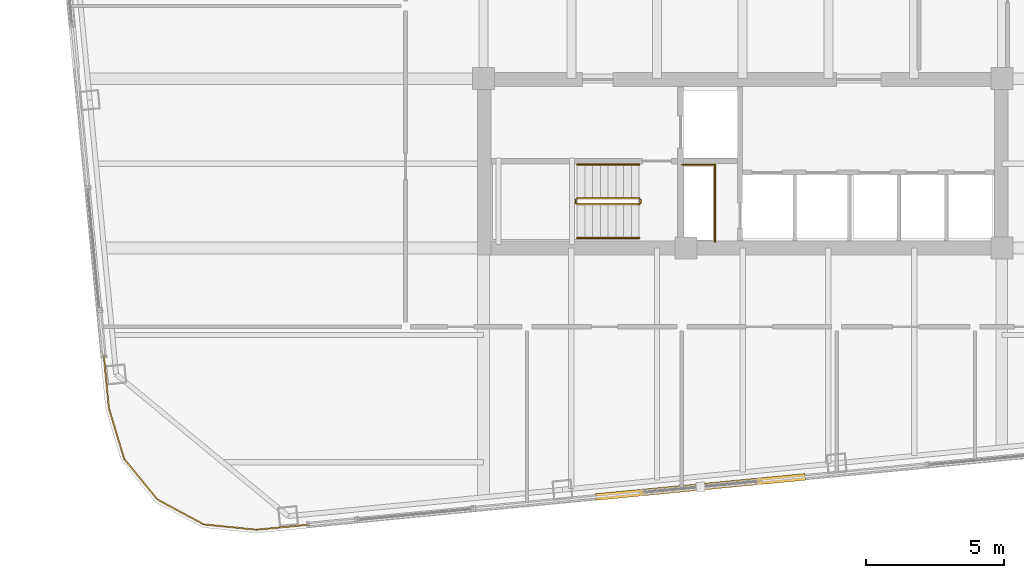
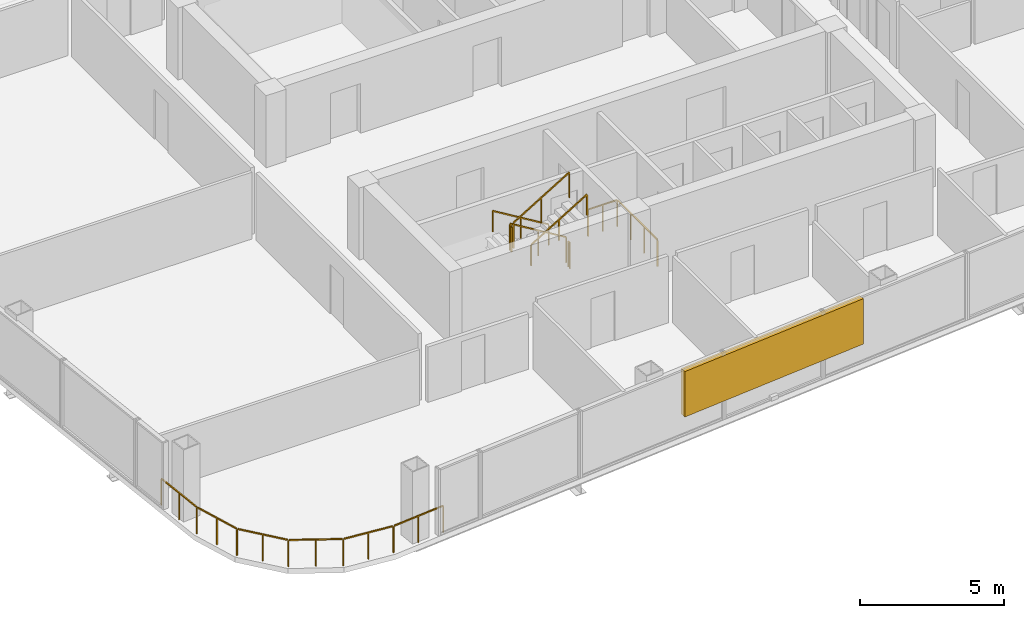
# One storey, part 20 of 22: 8 railings, 1 shading device.
"""IFC4 building model written with IfcOpenShell, lengths in metres."""

import ifcopenshell
import ifcopenshell.guid

model = None  # the IFC model being written
_history = None  # IfcOwnerHistory: only IFC2X3 demands one
_inside = {}  # id of a spatial element -> (the spatial element, [elements in it])
_under = {}  # id of a project, library or spatial element -> (it, [spatial elements below it])
_declared = {}  # id of a project -> (the project, [libraries it declares])
_typed = {}  # id of a type object -> (the type object, [elements of that type])
_made_of = {}  # id of a material, layer set ... -> (it, [elements and type objects made of it])


def new_model(schema):
    """Start an empty IFC model of exactly this schema.

    Asked for "IFC4X3", IfcOpenShell would pick the latest addendum, in which some entities
    have other attributes; the version numbers below select the first issue.
    IFC2X3 requires an IfcOwnerHistory on every rooted entity: one is made here for all.
    """
    global model, _history
    if schema == "IFC4X3":
        model = ifcopenshell.file(schema_version=(4, 3, 0, 0))
    else:
        model = ifcopenshell.file(schema=schema)
    _inside.clear()
    _under.clear()
    _declared.clear()
    _typed.clear()
    _made_of.clear()
    _history = None
    if model.schema == "IFC2X3":
        org = make("IfcOrganization", Name="unknown")
        user = make(
            "IfcPersonAndOrganization",
            ThePerson=make("IfcPerson", FamilyName="unknown"),
            TheOrganization=org,
        )
        app = make(
            "IfcApplication",
            ApplicationDeveloper=org,
            Version="unknown",
            ApplicationFullName="unknown",
            ApplicationIdentifier="unknown",
        )
        _history = make(
            "IfcOwnerHistory",
            OwningUser=user,
            OwningApplication=app,
            ChangeAction="ADDED",
            CreationDate=0,
        )
    return model


def make(cls, **values):
    """One entity of the class cls with the attributes given. An attribute that is None is left unset."""
    return model.create_entity(
        cls, **{name: value for name, value in values.items() if value is not None}
    )


def rooted(cls, **values):
    """An entity with a GlobalId (a new one), such as an element, a storey or a relation."""
    return make(cls, GlobalId=ifcopenshell.guid.new(), OwnerHistory=_history, **values)


def si_unit(unit_type, name, prefix=None):
    """IfcSIUnit, for example si_unit("LENGTHUNIT", "METRE", prefix="MILLI")."""
    return make("IfcSIUnit", UnitType=unit_type, Prefix=prefix, Name=name)


def assignment(units):
    """IfcUnitAssignment: the units of a project."""
    return None if units is None else make("IfcUnitAssignment", Units=units)


def point(xyz):
    """IfcCartesianPoint."""
    return None if xyz is None else make("IfcCartesianPoint", Coordinates=xyz)


def direction(xyz):
    """IfcDirection."""
    return None if xyz is None else make("IfcDirection", DirectionRatios=xyz)


def frame(location, z_axis=None, x_axis=None):
    """IfcAxis2Placement3D, a coordinate frame: its origin and axes. An axis left out is left unset."""
    return make(
        "IfcAxis2Placement3D",
        Location=point(location),
        Axis=direction(z_axis),
        RefDirection=direction(x_axis),
    )


def frame_2d(location, x_axis=None):
    """IfcAxis2Placement2D, a coordinate frame in the plane: its origin and x axis."""
    return make(
        "IfcAxis2Placement2D", Location=point(location), RefDirection=direction(x_axis)
    )


def origin():
    """The frame at (0, 0, 0) with its axes left unset."""
    return frame((0.0, 0.0, 0.0))


def origin_2d():
    """The frame at (0, 0) in the plane with its x axis left unset."""
    return frame_2d((0.0, 0.0))


def place(relative_to, where):
    """IfcLocalPlacement: puts the frame where relative to a parent placement (None: the world)."""
    return make(
        "IfcLocalPlacement", PlacementRelTo=relative_to, RelativePlacement=where
    )


def context(
    kind, dimensions, precision=None, world=None, true_north=None, identifier=None
):
    """IfcGeometricRepresentationContext, for example the 3D "Model" context."""
    return make(
        "IfcGeometricRepresentationContext",
        ContextIdentifier=identifier,
        ContextType=kind,
        CoordinateSpaceDimension=dimensions,
        Precision=precision,
        WorldCoordinateSystem=world,
        TrueNorth=true_north,
    )


def subcontext(parent, identifier, kind, view, scale=None):
    """IfcGeometricRepresentationSubContext, for example "Body" below "Model"."""
    return make(
        "IfcGeometricRepresentationSubContext",
        ContextIdentifier=identifier,
        ContextType=kind,
        ParentContext=parent,
        TargetScale=scale,
        TargetView=view,
    )


def project(units=None, contexts=None):
    """IfcProject with its units and contexts."""
    return rooted(
        "IfcProject",
        Name="project",
        RepresentationContexts=contexts,
        UnitsInContext=assignment(units),
    )


def spatial(cls, under=None, at=None, **own):
    """A site, building, storey or space (cls), placed at a placement, below another one or the project."""
    s = rooted(cls, ObjectPlacement=at, **own)
    if under is not None:
        _under.setdefault(under.id(), (under, []))[1].append(s)
    return s


def profile(cls, at=None, kind="AREA", **sizes):
    """A parametric profile (cls). Its sizes go by their IFC names, for example OverallWidth=200.0."""
    return make(cls, ProfileType=kind, Position=at, **sizes)


def rectangle(**sizes):
    """IfcRectangleProfileDef."""
    return profile("IfcRectangleProfileDef", **sizes)


def extrude(swept, where, along, depth):
    """IfcExtrudedAreaSolid: the profile swept, set in the frame where, extruded along a direction by depth."""
    return make(
        "IfcExtrudedAreaSolid",
        SweptArea=swept,
        Position=where,
        ExtrudedDirection=direction(along),
        Depth=depth,
    )


def shape(context_of_items, identifier, shape_type, items):
    """IfcShapeRepresentation: the items that make up one representation, for example the "Body"."""
    return make(
        "IfcShapeRepresentation",
        ContextOfItems=context_of_items,
        RepresentationIdentifier=identifier,
        RepresentationType=shape_type,
        Items=items,
    )


def material(Name=None, Category=None):
    """IfcMaterial."""
    return make("IfcMaterial", Name=Name, Category=Category)


def made_of(thing, what):
    """Note that an element or type object is made of a material, layer set ...; save() writes the relation."""
    if what is not None:
        _made_of.setdefault(what.id(), (what, []))[1].append(thing)
    return thing


def type_object(cls, material=None, **own):
    """A type object (cls), such as IfcWallType, which elements share."""
    return made_of(rooted(cls, **own), material)


def element(
    cls,
    number,
    at=None,
    inside=None,
    cuts=None,
    type_object=None,
    material=None,
    context=None,
    identifier="Body",
    shape_type=None,
    held_by="IfcProductDefinitionShape",
    body=None,
    shapes=None,
    **own,
):
    """One element of the class cls, such as IfcWall. Its Tag is "e" and its number.

    at: its placement. inside: the storey or other place that contains it. cuts: it is an
    opening in that element (IfcRelVoidsElement). A single representation is given by context,
    identifier, shape_type and body (its items); several are given by shapes. held_by: the class
    of the entity that holds the representations. save() writes the other relations.
    """
    e = rooted(cls, Tag="e%d" % number, ObjectPlacement=at, **own)
    if body is not None:
        shapes = [shape(context, identifier, shape_type, body)]
    if shapes is not None:
        e.Representation = make(held_by, Representations=shapes)
    if inside is not None:
        _inside.setdefault(inside.id(), (inside, []))[1].append(e)
    if cuts is not None:
        rooted(
            "IfcRelVoidsElement", RelatingBuildingElement=cuts, RelatedOpeningElement=e
        )
    if type_object is not None:
        _typed.setdefault(type_object.id(), (type_object, []))[1].append(e)
    return made_of(e, material)


def aggregate(whole, parts):
    """IfcRelAggregates: a whole, such as a stair, and the parts it consists of."""
    return rooted("IfcRelAggregates", RelatingObject=whole, RelatedObjects=parts)


def save(model, path):
    """Write the relations noted so far, then the file.

    IfcRelAggregates (storeys below a building ...), IfcRelContainedInSpatialStructure (elements
    in a storey), IfcRelDefinesByType, IfcRelAssociatesMaterial and IfcRelDeclares: one each for
    every whole, place, type object, material and project.
    """
    for whole, parts in _under.values():
        aggregate(whole, parts)
    for where, things in _inside.values():
        rooted(
            "IfcRelContainedInSpatialStructure",
            RelatedElements=things,
            RelatingStructure=where,
        )
    for kind, things in _typed.values():
        rooted("IfcRelDefinesByType", RelatedObjects=things, RelatingType=kind)
    for what, things in _made_of.values():
        rooted("IfcRelAssociatesMaterial", RelatedObjects=things, RelatingMaterial=what)
    for by, libraries in _declared.values():
        rooted("IfcRelDeclares", RelatingContext=by, RelatedDefinitions=libraries)
    model.write(path)


model = new_model("IFC4")

# Units and contexts
model_context = context("Model", 3, precision=1e-05, world=origin(), true_north=direction((0.0, 1.0)))
body_context = subcontext(model_context, "Body", "Model", "MODEL_VIEW")
ifc_project = project(units=[si_unit("LENGTHUNIT", "METRE"), si_unit("AREAUNIT", "SQUARE_METRE"), si_unit("VOLUMEUNIT", "CUBIC_METRE"), si_unit("PLANEANGLEUNIT", "RADIAN"), si_unit("MASSUNIT", "GRAM", prefix="KILO")], contexts=[model_context])

# Site, building, storey
site_placement = place(None, origin())
site = spatial("IfcSite", under=ifc_project, at=site_placement, CompositionType="ELEMENT")
building_placement = place(site_placement, origin())
building = spatial("IfcBuilding", under=site, at=building_placement, Name="Qhalaya Broadcast Tower", CompositionType="ELEMENT")
storey_placement = place(building_placement, frame((0.0, 0.0, 171.39990234375)))
storey = spatial("IfcBuildingStorey", under=building, at=storey_placement, Name="L50", CompositionType="ELEMENT", Elevation=171.39990234375)

# Railings
ifc_material_1 = material(Name="Powder-Coated Galvanised Steel", Category="steel")
railing_type_1 = type_object("IfcRailingType", Name="Stair Wall Handrail 900", PredefinedType="HANDRAIL", material=ifc_material_1)
railing_1_placement = place(storey_placement, frame((-3.75, -5.72998046875, 0.16943359375)))
element("IfcRailing", 1, at=railing_1_placement, inside=storey, type_object=railing_type_1, Name="L50 ST-2 Stair Handrail 1", PredefinedType="HANDRAIL", context=body_context, shape_type="SweptSolid", body=[
    extrude(rectangle(XDim=0.048095703125, YDim=0.048095703125, at=origin_2d()), frame((0.0, 0.0, 0.8759765625), z_axis=(-0.855512035549, 0.0, 0.517782924622), x_axis=(0.0, -1.0, 0.0)), (0.0, 0.0, 1.0), 2.618408203125),
    extrude(rectangle(XDim=0.0419921875, YDim=0.0419921875, at=origin_2d()), origin(), (0.0, 0.0, 1.0), 0.849853515625),
    extrude(rectangle(XDim=0.0419921875, YDim=0.0419921875, at=origin_2d()), frame((-1.1201171875, 0.0, 0.677734375)), (0.0, 0.0, 1.0), 0.849853515625),
    extrude(rectangle(XDim=0.0419921875, YDim=0.0419921875, at=origin_2d()), frame((-2.239990234375, 0.0, 1.355712890625)), (0.0, 0.0, 1.0), 0.849853515625),
])
railing_2_placement = place(storey_placement, frame((-5.989990234375, -8.389892578125, 1.694580078125)))
element("IfcRailing", 2, at=railing_2_placement, inside=storey, type_object=railing_type_1, Name="L50 ST-2 Stair Handrail 2", PredefinedType="HANDRAIL", context=body_context, shape_type="SweptSolid", body=[
    extrude(rectangle(XDim=0.048095703125, YDim=0.048095703125, at=origin_2d()), frame((0.0, 0.0, 0.8759765625), z_axis=(0.855553338991, 0.0, 0.51771467445), x_axis=(0.0, 1.0, 0.0)), (0.0, 0.0, 1.0), 2.6181640625),
    extrude(rectangle(XDim=0.0419921875, YDim=0.0419921875, at=origin_2d()), origin(), (0.0, 0.0, 1.0), 0.849853515625),
    extrude(rectangle(XDim=0.0419921875, YDim=0.0419921875, at=origin_2d()), frame((1.1201171875, 0.0, 0.677734375)), (0.0, 0.0, 1.0), 0.849853515625),
    extrude(rectangle(XDim=0.0419921875, YDim=0.0419921875, at=origin_2d()), frame((2.239990234375, 0.0, 1.35546875)), (0.0, 0.0, 1.0), 0.849853515625),
])
railing_type_2 = type_object("IfcRailingType", Name="Stair Well & Landing Guardrail 1100", PredefinedType="GUARDRAIL", material=ifc_material_1)
railing_3_placement = place(storey_placement, frame((-1.0, -8.52001953125, 0.0)))
element("IfcRailing", 3, at=railing_3_placement, inside=storey, type_object=railing_type_2, Name="L50 Service Riser Opening Safety Guard SRSR", PredefinedType="GUARDRAIL", context=body_context, shape_type="SweptSolid", body=[
    extrude(rectangle(XDim=0.048095703125, YDim=0.048095703125, at=origin_2d()), frame((0.0, 0.0, 1.1259765625), z_axis=(0.0, 1.0, 0.0), x_axis=(-1.0, 0.0, 0.0)), (0.0, 0.0, 1.0), 2.751220703125),
    extrude(rectangle(XDim=0.048095703125, YDim=0.048095703125, at=origin_2d()), frame((-0.02880859375, 2.780029296875, 1.1259765625), z_axis=(-1.0, 0.0, 0.0), x_axis=(0.0, -1.0, 0.0)), (0.0, 0.0, 1.0), 1.151123046875),
    extrude(rectangle(XDim=0.0419921875, YDim=0.0419921875, at=origin_2d()), origin(), (0.0, 0.0, 1.0), 1.099853515625),
    extrude(rectangle(XDim=0.0419921875, YDim=0.0419921875, at=origin_2d()), frame((0.0, 0.9267578125, 0.0)), (0.0, 0.0, 1.0), 1.099853515625),
    extrude(rectangle(XDim=0.0419921875, YDim=0.0419921875, at=origin_2d()), frame((0.0, 1.853271484375, 0.0)), (0.0, 0.0, 1.0), 1.099853515625),
    extrude(rectangle(XDim=0.0419921875, YDim=0.0419921875, at=origin_2d()), frame((0.0, 2.780029296875, 0.0)), (0.0, 0.0, 1.0), 1.099853515625),
    extrude(rectangle(XDim=0.0419921875, YDim=0.0419921875, at=origin_2d()), frame((-0.58984375, 2.780029296875, 0.0)), (0.0, 0.0, 1.0), 1.099853515625),
    extrude(rectangle(XDim=0.0419921875, YDim=0.0419921875, at=origin_2d()), frame((-1.179931640625, 2.780029296875, 0.0)), (0.0, 0.0, 1.0), 1.099853515625),
])
railing_4_placement = place(storey_placement, frame((-3.75, -6.949951171875, 0.16943359375)))
element("IfcRailing", 4, at=railing_4_placement, inside=storey, type_object=railing_type_2, Name="L50 ST-2 Stair Guard 1", PredefinedType="GUARDRAIL", context=body_context, shape_type="SweptSolid", body=[
    extrude(rectangle(XDim=0.048095703125, YDim=0.048095703125, at=origin_2d()), frame((0.0, 0.0, 1.076171875), z_axis=(-0.855512035549, 0.0, 0.517782924622), x_axis=(0.0, -1.0, 0.0)), (0.0, 0.0, 1.0), 2.618408203125),
    extrude(rectangle(XDim=0.0419921875, YDim=0.0419921875, at=origin_2d()), origin(), (0.0, 0.0, 1.0), 1.050048828125),
    extrude(rectangle(XDim=0.0419921875, YDim=0.0419921875, at=origin_2d()), frame((-1.1201171875, 0.0, 0.677734375)), (0.0, 0.0, 1.0), 1.050048828125),
    extrude(rectangle(XDim=0.0419921875, YDim=0.0419921875, at=origin_2d()), frame((-2.239990234375, 0.0, 1.355712890625)), (0.0, 0.0, 1.0), 1.050048828125),
])
railing_5_placement = place(storey_placement, frame((-6.0400390625, -7.0, 1.525146484375)))
element("IfcRailing", 5, at=railing_5_placement, inside=storey, type_object=railing_type_2, Name="L50 ST-2 Stair Guard 2", PredefinedType="GUARDRAIL", context=body_context, shape_type="SweptSolid", body=[
    extrude(rectangle(XDim=0.048095703125, YDim=0.048095703125, at=origin_2d()), frame((0.0, 0.0, 1.076171875), z_axis=(0.0, -1.0, 0.0), x_axis=(1.0, 0.0, 0.0)), (0.0, 0.0, 1.0), 0.1201171875),
    extrude(rectangle(XDim=0.0419921875, YDim=0.0419921875, at=origin_2d()), origin(), (0.0, 0.0, 1.0), 1.050048828125),
    extrude(rectangle(XDim=0.0419921875, YDim=0.0419921875, at=origin_2d()), frame((0.0, -0.1201171875, 0.0)), (0.0, 0.0, 1.0), 1.050048828125),
])
railing_6_placement = place(storey_placement, frame((-5.989990234375, -7.169921875, 1.694580078125)))
element("IfcRailing", 6, at=railing_6_placement, inside=storey, type_object=railing_type_2, Name="L50 ST-2 Stair Guard 3", PredefinedType="GUARDRAIL", context=body_context, shape_type="SweptSolid", body=[
    extrude(rectangle(XDim=0.048095703125, YDim=0.048095703125, at=origin_2d()), frame((0.0, 0.0, 1.076171875), z_axis=(0.855553338991, 0.0, 0.51771467445), x_axis=(0.0, 1.0, 0.0)), (0.0, 0.0, 1.0), 2.6181640625),
    extrude(rectangle(XDim=0.0419921875, YDim=0.0419921875, at=origin_2d()), origin(), (0.0, 0.0, 1.0), 1.050048828125),
    extrude(rectangle(XDim=0.0419921875, YDim=0.0419921875, at=origin_2d()), frame((1.1201171875, 0.0, 0.677734375)), (0.0, 0.0, 1.0), 1.050048828125),
    extrude(rectangle(XDim=0.0419921875, YDim=0.0419921875, at=origin_2d()), frame((2.239990234375, 0.0, 1.35546875)), (0.0, 0.0, 1.0), 1.050048828125),
])
railing_7_placement = place(storey_placement, frame((-3.699951171875, -7.0, 0.0)))
element("IfcRailing", 7, at=railing_7_placement, inside=storey, type_object=railing_type_2, Name="L50 ST-2 Stair Guard 4", PredefinedType="GUARDRAIL", context=body_context, shape_type="SweptSolid", body=[
    extrude(rectangle(XDim=0.048095703125, YDim=0.048095703125, at=origin_2d()), frame((0.0, 0.0, 1.076171875), z_axis=(0.0, -1.0, 0.0), x_axis=(1.0, 0.0, 0.0)), (0.0, 0.0, 1.0), 0.1201171875),
    extrude(rectangle(XDim=0.0419921875, YDim=0.0419921875, at=origin_2d()), origin(), (0.0, 0.0, 1.0), 1.050048828125),
    extrude(rectangle(XDim=0.0419921875, YDim=0.0419921875, at=origin_2d()), frame((0.0, -0.1201171875, 0.0)), (0.0, 0.0, 1.0), 1.050048828125),
])
railing_type_3 = type_object("IfcRailingType", Name="Terrace, Sky-Pool & Lookout Glass Balustrade 1150", PredefinedType="BALUSTRADE", material=ifc_material_1)
railing_8_placement = place(storey_placement, frame((-15.479736328125, -18.73681640625, 0.0)))
element("IfcRailing", 8, at=railing_8_placement, inside=storey, type_object=railing_type_3, Name="L50 Rounded Corner Perimeter Guard 02", PredefinedType="BALUSTRADE", context=body_context, shape_type="SweptSolid", body=[
    extrude(rectangle(XDim=0.048095703125, YDim=0.048095703125, at=origin_2d()), frame((0.0, 0.0, 1.1259765625), z_axis=(-0.995391273094, -0.095896889673, 0.0), x_axis=(0.095896889673, -0.995391273094, 0.0)), (0.0, 0.0, 1.0), 2.08935546875),
    extrude(rectangle(XDim=0.048095703125, YDim=0.048095703125, at=origin_2d()), frame((-2.13720703125, -0.2001953125, 1.1259765625), z_axis=(-0.994968808814, 0.100185175984, 0.0), x_axis=(-0.100185175984, -0.994968808814, 0.0)), (0.0, 0.0, 1.0), 1.857666015625),
    extrude(rectangle(XDim=0.048095703125, YDim=0.048095703125, at=origin_2d()), frame((-4.03955078125, 0.00244140625, 1.1259765625), z_axis=(-0.880932037714, 0.473242797018, 0.0), x_axis=(-0.473242797018, -0.880932037714, 0.0)), (0.0, 0.0, 1.0), 1.845458984375),
    extrude(rectangle(XDim=0.048095703125, YDim=0.048095703125, at=origin_2d()), frame((-5.708984375, 0.911865234375, 1.1259765625), z_axis=(-0.632671796541, 0.774420039683, 0.0), x_axis=(-0.774420039683, -0.632671796541, 0.0)), (0.0, 0.0, 1.0), 1.845458984375),
    extrude(rectangle(XDim=0.048095703125, YDim=0.048095703125, at=origin_2d()), frame((-6.903076171875, 2.390869140625, 1.1259765625), z_axis=(-0.288213171456, 0.95756627332, 0.0), x_axis=(-0.95756627332, -0.288213171456, 0.0)), (0.0, 0.0, 1.0), 1.857421875),
    extrude(rectangle(XDim=0.048095703125, YDim=0.048095703125, at=origin_2d()), frame((-7.449462890625, 4.22607421875, 1.1259765625), z_axis=(-0.095782687057, 0.995402268864, 0.0), x_axis=(-0.995402268864, -0.095782687057, 0.0)), (0.0, 0.0, 1.0), 2.08935546875),
    extrude(rectangle(XDim=0.0419921875, YDim=0.0419921875, at=origin_2d()), origin(), (0.0, 0.0, 1.0), 1.099853515625),
    extrude(rectangle(XDim=0.0419921875, YDim=0.0419921875, at=origin_2d()), frame((-1.05419921875, -0.1015625, 0.0)), (0.0, 0.0, 1.0), 1.099853515625),
    extrude(rectangle(XDim=0.0419921875, YDim=0.0419921875, at=origin_2d()), frame((-2.1083984375, -0.203125, 0.0)), (0.0, 0.0, 1.0), 1.099853515625),
    extrude(rectangle(XDim=0.0419921875, YDim=0.0419921875, at=origin_2d()), frame((-3.061279296875, -0.107177734375, 0.0)), (0.0, 0.0, 1.0), 1.099853515625),
    extrude(rectangle(XDim=0.0419921875, YDim=0.0419921875, at=origin_2d()), frame((-4.01416015625, -0.01123046875, 0.0)), (0.0, 0.0, 1.0), 1.099853515625),
    extrude(rectangle(XDim=0.0419921875, YDim=0.0419921875, at=origin_2d()), frame((-4.8525390625, 0.43896484375, 0.0)), (0.0, 0.0, 1.0), 1.099853515625),
    extrude(rectangle(XDim=0.0419921875, YDim=0.0419921875, at=origin_2d()), frame((-5.690673828125, 0.889404296875, 0.0)), (0.0, 0.0, 1.0), 1.099853515625),
    extrude(rectangle(XDim=0.0419921875, YDim=0.0419921875, at=origin_2d()), frame((-6.292724609375, 1.62646484375, 0.0)), (0.0, 0.0, 1.0), 1.099853515625),
    extrude(rectangle(XDim=0.0419921875, YDim=0.0419921875, at=origin_2d()), frame((-6.894775390625, 2.36328125, 0.0)), (0.0, 0.0, 1.0), 1.099853515625),
    extrude(rectangle(XDim=0.0419921875, YDim=0.0419921875, at=origin_2d()), frame((-7.1708984375, 3.2802734375, 0.0)), (0.0, 0.0, 1.0), 1.099853515625),
    extrude(rectangle(XDim=0.0419921875, YDim=0.0419921875, at=origin_2d()), frame((-7.44677734375, 4.197265625, 0.0)), (0.0, 0.0, 1.0), 1.099853515625),
    extrude(rectangle(XDim=0.0419921875, YDim=0.0419921875, at=origin_2d()), frame((-7.54833984375, 5.25146484375, 0.0)), (0.0, 0.0, 1.0), 1.099853515625),
    extrude(rectangle(XDim=0.0419921875, YDim=0.0419921875, at=origin_2d()), frame((-7.649658203125, 6.3056640625, 0.0)), (0.0, 0.0, 1.0), 1.099853515625),
])

# Shading device
ifc_material_2 = material(Name="Fired Architectural Terracotta", Category="masonry")
shading_device_type = type_object("IfcShadingDeviceType", Name="Terracotta Baguette Solar Screen Assembly TBS-01", PredefinedType="USERDEFINED", material=ifc_material_2)
shading_device_placement = place(storey_placement, frame((-1.5244140625, -17.393310546875, 0.79248046875), z_axis=(0.0, 0.0, 1.0), x_axis=(0.995396198367, 0.09584575252, 0.0)))
element("IfcShadingDevice", 9, at=shading_device_placement, inside=storey, type_object=shading_device_type, Name="L50 Fired Terracotta Baguette Screen S", ObjectType="BAGUETTE", PredefinedType="USERDEFINED", context=body_context, shape_type="SweptSolid", body=[
    extrude(rectangle(XDim=7.60009765625, YDim=0.239990234375, at=origin_2d()), origin(), (0.0, 0.0, 1.0), 1.924072265625),
])

save(model, "model.ifc")
